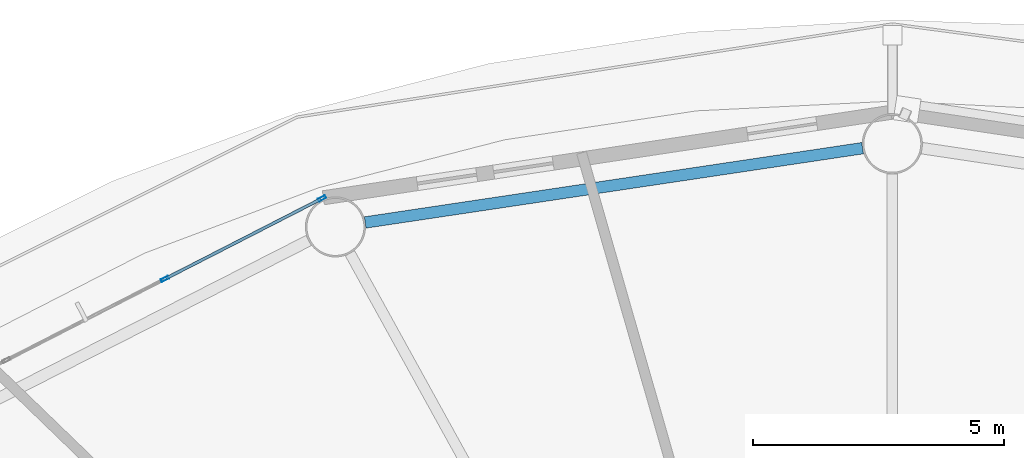
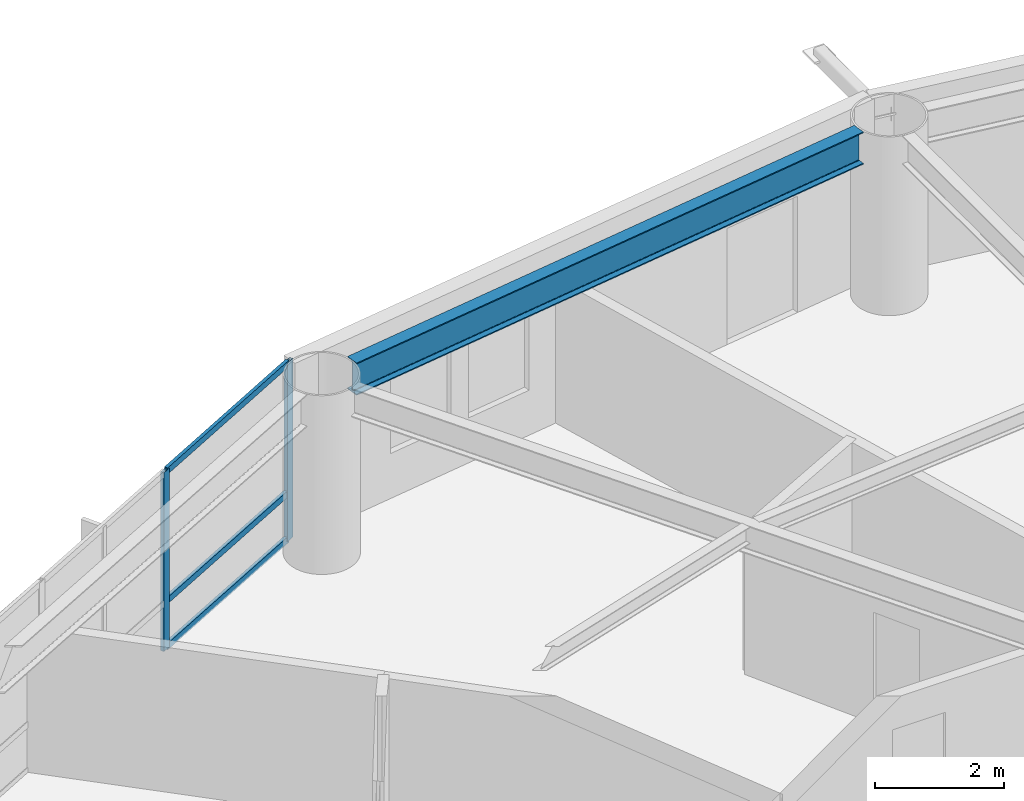
# One storey, part 10 of 24: 5 members, 1 beam, 1 element without a shape of its own.
"""IFC4 building model written with IfcOpenShell, lengths in metres."""

from ifc_helpers import new_model, si_unit, direction, frame, origin, origin_2d, place, context, subcontext, project, spatial, hollow_rectangle, i_section, extrude, material, layer, layer_set, material_profile, profile_set, type_object, element, aggregate, save


model = new_model("IFC4")

# Units and contexts
model_context = context("Model", 3, precision=1e-05, world=origin(), true_north=direction((0.0, 1.0)))
body_context = subcontext(model_context, "Body", "Model", "MODEL_VIEW")
ifc_project = project(units=[si_unit("LENGTHUNIT", "METRE"), si_unit("AREAUNIT", "SQUARE_METRE"), si_unit("VOLUMEUNIT", "CUBIC_METRE"), si_unit("PLANEANGLEUNIT", "RADIAN"), si_unit("MASSUNIT", "GRAM", prefix="KILO")], contexts=[model_context])

# Site, building, storey
site_placement = place(None, origin())
site = spatial("IfcSite", under=ifc_project, at=site_placement, CompositionType="ELEMENT")
building_placement = place(site_placement, origin())
building = spatial("IfcBuilding", under=site, at=building_placement, Name="Sarneth Arch Tower", CompositionType="ELEMENT")
storey_placement = place(building_placement, frame((0.0, 0.0, 98.39990234375)))
storey = spatial("IfcBuildingStorey", under=building, at=storey_placement, Name="L24", CompositionType="ELEMENT", Elevation=98.39990234375)

# Beam
ifc_material_1 = material(Name="Steel S355", Category="steel")
ifc_material_profile_1 = material_profile(ifc_material_1, i_section(OverallWidth=0.22900390625, OverallDepth=0.612060546875, WebThickness=0.011962890625, FlangeThickness=0.01953125, FilletRadius=0.01904296875, at=origin_2d()), Name="W610x125")
ifc_profile_set_1 = profile_set([ifc_material_profile_1], Name="Steel S355")
beam_type = type_object("IfcBeamType", Name="BM-SPAN-610C", PredefinedType="SPANDREL", material=ifc_profile_set_1)
beam_placement = place(storey_placement, frame((47.406494140625, 63.71142578125, 3.07421875), z_axis=(-0.989028613319, -0.147724073992, 0.0), x_axis=(0.147724073992, -0.989028613319, 0.0)))
element("IfcBeam", 1, at=beam_placement, inside=storey, type_object=beam_type, Name="L24 Perimeter spandrel beam 05", PredefinedType="SPANDREL", context=body_context, shape_type="SweptSolid", body=[
    extrude(i_section(OverallWidth=0.22900390625, OverallDepth=0.612060546875, WebThickness=0.011962890625, FlangeThickness=0.01953125, FilletRadius=0.01904296875, at=origin_2d()), origin(), (0.0, 0.0, 1.0), 10.033447265625),
])

# Curtain wall, members
ifc_material_2 = material(Name="Anodised aluminium Type AA25 and solar-control low-e laminated IGU", Category="aluminium")
ifc_layer = layer(ifc_material_2, 0.159912109375)
ifc_layer_set = layer_set([ifc_layer], Name="Anodised aluminium Type AA25 and solar-control low-e laminated IGU")
curtain_wall_type = type_object("IfcCurtainWallType", Name="CW-HOTEL-MID", PredefinedType="NOTDEFINED", material=ifc_layer_set)
curtain_wall_placement = place(storey_placement, origin())
curtain_wall = element("IfcCurtainWall", 2, at=curtain_wall_placement, inside=storey, type_object=curtain_wall_type, Name="L24 Unitised curtain wall facet 06", PredefinedType="NOTDEFINED")
ifc_material_3 = material(Name="Anodised Aluminium 6063-T6", Category="aluminium")
ifc_material_profile_2 = material_profile(ifc_material_3, hollow_rectangle(XDim=0.06005859375, YDim=0.159912109375, WallThickness=0.00390625, at=origin_2d()), Name="AL-MULL-160x60x4")
ifc_profile_set_2 = profile_set([ifc_material_profile_2], Name="Anodised Aluminium 6063-T6")
member_type_1 = type_object("IfcMemberType", Name="CW-MULLION", PredefinedType="MULLION", material=ifc_profile_set_2)
member_1_placement = place(storey_placement, frame((36.6220703125, 62.708984375, 0.0), z_axis=(0.0, 0.0, 1.0), x_axis=(0.456031365356, -0.889963703649, 0.0)))
member_1 = element("IfcMember", 3, at=member_1_placement, type_object=member_type_1, Name="CW-SYS-4 mullion 1", PredefinedType="MULLION", context=body_context, shape_type="SweptSolid", body=[
    extrude(hollow_rectangle(XDim=0.06005859375, YDim=0.159912109375, WallThickness=0.00390625, at=origin_2d()), origin(), (0.0, 0.0, 1.0), 3.380126953125),
])
member_2_placement = place(storey_placement, frame((33.48583984375, 61.101806640625, 0.0), z_axis=(0.0, 0.0, 1.0), x_axis=(0.456031365356, -0.889963703649, 0.0)))
member_2 = element("IfcMember", 4, at=member_2_placement, type_object=member_type_1, Name="CW-SYS-4 mullion 2", PredefinedType="MULLION", context=body_context, shape_type="SweptSolid", body=[
    extrude(hollow_rectangle(XDim=0.06005859375, YDim=0.159912109375, WallThickness=0.00390625, at=origin_2d()), origin(), (0.0, 0.0, 1.0), 3.380126953125),
])
ifc_material_4 = material(Name="Anodised Aluminium 6063-T6", Category="aluminium")
ifc_material_profile_3 = material_profile(ifc_material_4, hollow_rectangle(XDim=0.06005859375, YDim=0.1201171875, WallThickness=0.00390625, at=origin_2d()), Name="AL-TRAN-120x60x4")
ifc_profile_set_3 = profile_set([ifc_material_profile_3], Name="Anodised Aluminium 6063-T6")
member_type_2 = type_object("IfcMemberType", Name="CW-TRANSOM", PredefinedType="USERDEFINED", material=ifc_profile_set_3)
member_3_placement = place(storey_placement, frame((36.595458984375, 62.6953125, 0.030029296875), z_axis=(-0.889957563627, -0.456043347658, 0.0), x_axis=(0.456043347658, -0.889957563627, 0.0)))
member_3 = element("IfcMember", 5, at=member_3_placement, type_object=member_type_2, Name="CW-SYS-4 transom 1.1", ObjectType="TRANSOM", PredefinedType="USERDEFINED", context=body_context, shape_type="SweptSolid", body=[
    extrude(hollow_rectangle(XDim=0.06005859375, YDim=0.1201171875, WallThickness=0.00390625, at=origin_2d()), origin(), (0.0, 0.0, 1.0), 3.464111328125),
])
member_4_placement = place(storey_placement, frame((36.595458984375, 62.6953125, 0.900146484375), z_axis=(-0.889957563627, -0.456043347658, 0.0), x_axis=(0.456043347658, -0.889957563627, 0.0)))
member_4 = element("IfcMember", 6, at=member_4_placement, type_object=member_type_2, Name="CW-SYS-4 transom 1.2", ObjectType="TRANSOM", PredefinedType="USERDEFINED", context=body_context, shape_type="SweptSolid", body=[
    extrude(hollow_rectangle(XDim=0.06005859375, YDim=0.1201171875, WallThickness=0.00390625, at=origin_2d()), origin(), (0.0, 0.0, 1.0), 3.464111328125),
])
member_5_placement = place(storey_placement, frame((36.595458984375, 62.6953125, 3.35009765625), z_axis=(-0.889957563627, -0.456043347658, 0.0), x_axis=(0.456043347658, -0.889957563627, 0.0)))
member_5 = element("IfcMember", 7, at=member_5_placement, type_object=member_type_2, Name="CW-SYS-4 transom 1.3", ObjectType="TRANSOM", PredefinedType="USERDEFINED", context=body_context, shape_type="SweptSolid", body=[
    extrude(hollow_rectangle(XDim=0.06005859375, YDim=0.1201171875, WallThickness=0.00390625, at=origin_2d()), origin(), (0.0, 0.0, 1.0), 3.464111328125),
])
aggregate(curtain_wall, [member_1, member_2, member_3, member_4, member_5])

save(model, "model.ifc")
